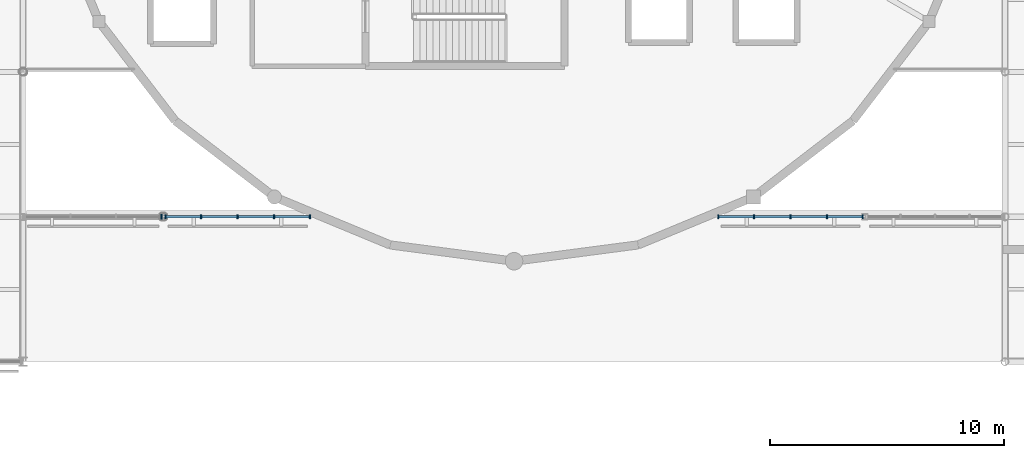
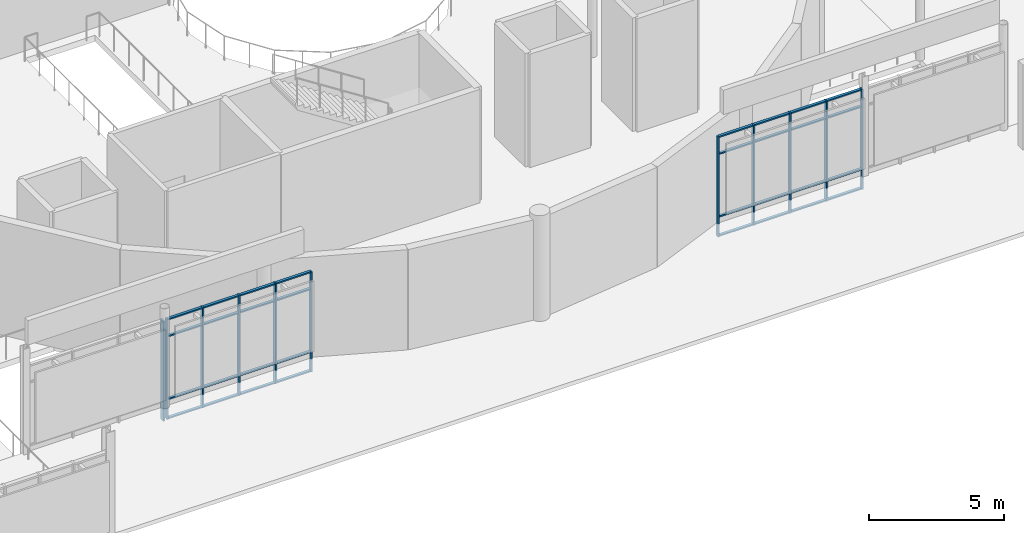
# One storey, part 29 of 105: 43 members, 3 elements without a shape of their own.
"""IFC4 building model written with IfcOpenShell, lengths in metres."""

from ifc_helpers import new_model, si_unit, direction, frame, origin, origin_2d, place, context, subcontext, project, spatial, rectangle, extrude, material, layer, layer_set, material_profile, profile_set, type_object, element, aggregate, save


model = new_model("IFC4")

# Units and contexts
model_context = context("Model", 3, precision=1e-05, world=origin(), true_north=direction((0.0, 1.0)))
body_context = subcontext(model_context, "Body", "Model", "MODEL_VIEW")
ifc_project = project(units=[si_unit("LENGTHUNIT", "METRE"), si_unit("AREAUNIT", "SQUARE_METRE"), si_unit("VOLUMEUNIT", "CUBIC_METRE"), si_unit("PLANEANGLEUNIT", "RADIAN"), si_unit("MASSUNIT", "GRAM", prefix="KILO")], contexts=[model_context])

# Site, building, storey
site_placement = place(None, origin())
site = spatial("IfcSite", under=ifc_project, at=site_placement, CompositionType="ELEMENT")
building_placement = place(site_placement, origin())
building = spatial("IfcBuilding", under=site, at=building_placement, Name="Mirzam Square Science Centre", CompositionType="ELEMENT")
storey_placement = place(building_placement, frame((0.0, 0.0, 5.39990234375)))
storey = spatial("IfcBuildingStorey", under=building, at=storey_placement, Name="L01", CompositionType="ELEMENT", Elevation=5.39990234375)

# Curtain wall, members
ifc_material_1 = material(Name="Anodised Aluminium and Low-E Solar Glass", Category="aluminium")
ifc_layer_1 = layer(ifc_material_1, 0.179931640625)
ifc_layer_set_1 = layer_set([ifc_layer_1], Name="CW-LINK-A")
curtain_wall_type_1 = type_object("IfcCurtainWallType", Name="CW-LINK-A", PredefinedType="USERDEFINED", material=ifc_layer_set_1)
curtain_wall_1_placement = place(storey_placement, origin())
curtain_wall_1 = element("IfcCurtainWall", 1, at=curtain_wall_1_placement, inside=storey, type_object=curtain_wall_type_1, Name="L01 unitised curtain wall 53", ObjectType="UNITISED CURTAIN WALL", PredefinedType="USERDEFINED")
ifc_material_2 = material(Name="Anodised Architectural Aluminium 6063-T6", Category="aluminium")
ifc_material_profile_1 = material_profile(ifc_material_2, rectangle(XDim=0.06005859375, YDim=0.159912109375, at=origin_2d()), Name="ALU-MULL-160x60x4")
ifc_profile_set_1 = profile_set([ifc_material_profile_1], Name="Anodised Architectural Aluminium 6063-T6")
member_type_1 = type_object("IfcMemberType", Name="CWM-160", PredefinedType="MULLION", material=ifc_profile_set_1)
member_1_placement = place(storey_placement, frame((66.0849609375, 43.39990234375, 0.0), z_axis=(0.0, 0.0, 1.0), x_axis=(1.0, 0.0, 0.0)))
member_1 = element("IfcMember", 2, at=member_1_placement, type_object=member_type_1, Name="CW-08 mullion 1", PredefinedType="MULLION", context=body_context, shape_type="SweptSolid", body=[
    extrude(rectangle(XDim=0.06005859375, YDim=0.159912109375, at=origin_2d()), origin(), (0.0, 0.0, 1.0), 4.550048828125),
])
member_2_placement = place(storey_placement, frame((67.614990234375, 43.39990234375, 0.0), z_axis=(0.0, 0.0, 1.0), x_axis=(1.0, 0.0, 0.0)))
member_2 = element("IfcMember", 3, at=member_2_placement, type_object=member_type_1, Name="CW-08 mullion 2", PredefinedType="MULLION", context=body_context, shape_type="SweptSolid", body=[
    extrude(rectangle(XDim=0.06005859375, YDim=0.159912109375, at=origin_2d()), origin(), (0.0, 0.0, 1.0), 4.550048828125),
])
member_3_placement = place(storey_placement, frame((69.175048828125, 43.39990234375, 0.0), z_axis=(0.0, 0.0, 1.0), x_axis=(1.0, 0.0, 0.0)))
member_3 = element("IfcMember", 4, at=member_3_placement, type_object=member_type_1, Name="CW-08 mullion 3", PredefinedType="MULLION", context=body_context, shape_type="SweptSolid", body=[
    extrude(rectangle(XDim=0.06005859375, YDim=0.159912109375, at=origin_2d()), origin(), (0.0, 0.0, 1.0), 4.550048828125),
])
member_4_placement = place(storey_placement, frame((70.735107421875, 43.39990234375, 0.0), z_axis=(0.0, 0.0, 1.0), x_axis=(1.0, 0.0, 0.0)))
member_4 = element("IfcMember", 5, at=member_4_placement, type_object=member_type_1, Name="CW-08 mullion 4", PredefinedType="MULLION", context=body_context, shape_type="SweptSolid", body=[
    extrude(rectangle(XDim=0.06005859375, YDim=0.159912109375, at=origin_2d()), origin(), (0.0, 0.0, 1.0), 4.550048828125),
])
member_5_placement = place(storey_placement, frame((72.264892578125, 43.39990234375, 0.0), z_axis=(0.0, 0.0, 1.0), x_axis=(1.0, 0.0, 0.0)))
member_5 = element("IfcMember", 6, at=member_5_placement, type_object=member_type_1, Name="CW-08 mullion 5", PredefinedType="MULLION", context=body_context, shape_type="SweptSolid", body=[
    extrude(rectangle(XDim=0.06005859375, YDim=0.159912109375, at=origin_2d()), origin(), (0.0, 0.0, 1.0), 4.550048828125),
])

curtain_wall_2_placement = place(storey_placement, origin())
curtain_wall_2 = element("IfcCurtainWall", 7, at=curtain_wall_2_placement, inside=storey, type_object=curtain_wall_type_1, Name="L01 unitised curtain wall 55", ObjectType="UNITISED CURTAIN WALL", PredefinedType="USERDEFINED")
member_6_placement = place(storey_placement, frame((89.735107421875, 43.39990234375, 0.0), z_axis=(0.0, 0.0, 1.0), x_axis=(1.0, 0.0, 0.0)))
member_6 = element("IfcMember", 8, at=member_6_placement, type_object=member_type_1, Name="CW-08 mullion 1", PredefinedType="MULLION", context=body_context, shape_type="SweptSolid", body=[
    extrude(rectangle(XDim=0.06005859375, YDim=0.159912109375, at=origin_2d()), origin(), (0.0, 0.0, 1.0), 4.550048828125),
])
member_7_placement = place(storey_placement, frame((91.264892578125, 43.39990234375, 0.0), z_axis=(0.0, 0.0, 1.0), x_axis=(1.0, 0.0, 0.0)))
member_7 = element("IfcMember", 9, at=member_7_placement, type_object=member_type_1, Name="CW-08 mullion 2", PredefinedType="MULLION", context=body_context, shape_type="SweptSolid", body=[
    extrude(rectangle(XDim=0.06005859375, YDim=0.159912109375, at=origin_2d()), origin(), (0.0, 0.0, 1.0), 4.550048828125),
])
member_8_placement = place(storey_placement, frame((92.824951171875, 43.39990234375, 0.0), z_axis=(0.0, 0.0, 1.0), x_axis=(1.0, 0.0, 0.0)))
member_8 = element("IfcMember", 10, at=member_8_placement, type_object=member_type_1, Name="CW-08 mullion 3", PredefinedType="MULLION", context=body_context, shape_type="SweptSolid", body=[
    extrude(rectangle(XDim=0.06005859375, YDim=0.159912109375, at=origin_2d()), origin(), (0.0, 0.0, 1.0), 4.550048828125),
])
member_9_placement = place(storey_placement, frame((94.385009765625, 43.39990234375, 0.0), z_axis=(0.0, 0.0, 1.0), x_axis=(1.0, 0.0, 0.0)))
member_9 = element("IfcMember", 11, at=member_9_placement, type_object=member_type_1, Name="CW-08 mullion 4", PredefinedType="MULLION", context=body_context, shape_type="SweptSolid", body=[
    extrude(rectangle(XDim=0.06005859375, YDim=0.159912109375, at=origin_2d()), origin(), (0.0, 0.0, 1.0), 4.550048828125),
])
member_10_placement = place(storey_placement, frame((95.9150390625, 43.39990234375, 0.0), z_axis=(0.0, 0.0, 1.0), x_axis=(1.0, 0.0, 0.0)))
member_10 = element("IfcMember", 12, at=member_10_placement, type_object=member_type_1, Name="CW-08 mullion 5", PredefinedType="MULLION", context=body_context, shape_type="SweptSolid", body=[
    extrude(rectangle(XDim=0.06005859375, YDim=0.159912109375, at=origin_2d()), origin(), (0.0, 0.0, 1.0), 4.550048828125),
])

# Curtain wall, member
ifc_layer_2 = layer(ifc_material_1, 0.239990234375)
ifc_layer_set_2 = layer_set([ifc_layer_2], Name="CW-EAST-B")
curtain_wall_type_2 = type_object("IfcCurtainWallType", Name="CW-EAST-B", PredefinedType="USERDEFINED", material=ifc_layer_set_2)
curtain_wall_3_placement = place(storey_placement, origin())
curtain_wall_3 = element("IfcCurtainWall", 13, at=curtain_wall_3_placement, inside=storey, type_object=curtain_wall_type_2, Name="L01 unitised curtain wall 51", ObjectType="UNITISED CURTAIN WALL", PredefinedType="USERDEFINED")
ifc_material_profile_2 = material_profile(ifc_material_2, rectangle(XDim=0.06494140625, YDim=0.199951171875, at=origin_2d()), Name="ALU-MULL-200x65x5")
ifc_profile_set_2 = profile_set([ifc_material_profile_2], Name="Anodised Architectural Aluminium 6063-T6")
member_type_2 = type_object("IfcMemberType", Name="CWM-200", PredefinedType="MULLION", material=ifc_profile_set_2)
member_11_placement = place(storey_placement, frame((65.91259765625, 43.39990234375, 0.0), z_axis=(0.0, 0.0, 1.0), x_axis=(1.0, 0.0, 0.0)))
member_11 = element("IfcMember", 14, at=member_11_placement, type_object=member_type_2, Name="CW-06 mullion 4", PredefinedType="MULLION", context=body_context, shape_type="SweptSolid", body=[
    extrude(rectangle(XDim=0.06494140625, YDim=0.199951171875, at=origin_2d()), origin(), (0.0, 0.0, 1.0), 4.550048828125),
])
aggregate(curtain_wall_3, [member_11])

# Member
ifc_material_profile_3 = material_profile(ifc_material_2, rectangle(XDim=0.1201171875, YDim=0.06005859375, at=origin_2d()), Name="ALU-TRAN-120x60x4")
ifc_profile_set_3 = profile_set([ifc_material_profile_3], Name="Anodised Architectural Aluminium 6063-T6")
member_type_3 = type_object("IfcMemberType", Name="CWT-120", PredefinedType="USERDEFINED", material=ifc_profile_set_3)
member_12_placement = place(storey_placement, frame((66.114990234375, 43.39990234375, 0.030029296875), z_axis=(1.0, 0.0, 0.0), x_axis=(0.0, 1.0, 0.0)))
member_12 = element("IfcMember", 15, at=member_12_placement, type_object=member_type_3, Name="CW-08 transom 1.1", ObjectType="TRANSOM", PredefinedType="USERDEFINED", context=body_context, shape_type="SweptSolid", body=[
    extrude(rectangle(XDim=0.1201171875, YDim=0.06005859375, at=origin_2d()), origin(), (0.0, 0.0, 1.0), 1.469970703125),
])

member_13_placement = place(storey_placement, frame((66.114990234375, 43.39990234375, 0.900146484375), z_axis=(1.0, 0.0, 0.0), x_axis=(0.0, 1.0, 0.0)))
member_13 = element("IfcMember", 16, at=member_13_placement, type_object=member_type_3, Name="CW-08 transom 1.2", ObjectType="TRANSOM", PredefinedType="USERDEFINED", context=body_context, shape_type="SweptSolid", body=[
    extrude(rectangle(XDim=0.1201171875, YDim=0.06005859375, at=origin_2d()), origin(), (0.0, 0.0, 1.0), 1.469970703125),
])

member_14_placement = place(storey_placement, frame((66.114990234375, 43.39990234375, 3.75), z_axis=(1.0, 0.0, 0.0), x_axis=(0.0, 1.0, 0.0)))
member_14 = element("IfcMember", 17, at=member_14_placement, type_object=member_type_3, Name="CW-08 transom 1.3", ObjectType="TRANSOM", PredefinedType="USERDEFINED", context=body_context, shape_type="SweptSolid", body=[
    extrude(rectangle(XDim=0.1201171875, YDim=0.06005859375, at=origin_2d()), origin(), (0.0, 0.0, 1.0), 1.469970703125),
])

member_15_placement = place(storey_placement, frame((66.114990234375, 43.39990234375, 4.52001953125), z_axis=(1.0, 0.0, 0.0), x_axis=(0.0, 1.0, 0.0)))
member_15 = element("IfcMember", 18, at=member_15_placement, type_object=member_type_3, Name="CW-08 transom 1.4", ObjectType="TRANSOM", PredefinedType="USERDEFINED", context=body_context, shape_type="SweptSolid", body=[
    extrude(rectangle(XDim=0.1201171875, YDim=0.06005859375, at=origin_2d()), origin(), (0.0, 0.0, 1.0), 1.469970703125),
])

member_16_placement = place(storey_placement, frame((67.64501953125, 43.39990234375, 0.030029296875), z_axis=(1.0, 0.0, 0.0), x_axis=(0.0, 1.0, 0.0)))
member_16 = element("IfcMember", 19, at=member_16_placement, type_object=member_type_3, Name="CW-08 transom 2.1", ObjectType="TRANSOM", PredefinedType="USERDEFINED", context=body_context, shape_type="SweptSolid", body=[
    extrude(rectangle(XDim=0.1201171875, YDim=0.06005859375, at=origin_2d()), origin(), (0.0, 0.0, 1.0), 1.5),
])

member_17_placement = place(storey_placement, frame((67.64501953125, 43.39990234375, 0.900146484375), z_axis=(1.0, 0.0, 0.0), x_axis=(0.0, 1.0, 0.0)))
member_17 = element("IfcMember", 20, at=member_17_placement, type_object=member_type_3, Name="CW-08 transom 2.2", ObjectType="TRANSOM", PredefinedType="USERDEFINED", context=body_context, shape_type="SweptSolid", body=[
    extrude(rectangle(XDim=0.1201171875, YDim=0.06005859375, at=origin_2d()), origin(), (0.0, 0.0, 1.0), 1.5),
])

member_18_placement = place(storey_placement, frame((67.64501953125, 43.39990234375, 3.75), z_axis=(1.0, 0.0, 0.0), x_axis=(0.0, 1.0, 0.0)))
member_18 = element("IfcMember", 21, at=member_18_placement, type_object=member_type_3, Name="CW-08 transom 2.3", ObjectType="TRANSOM", PredefinedType="USERDEFINED", context=body_context, shape_type="SweptSolid", body=[
    extrude(rectangle(XDim=0.1201171875, YDim=0.06005859375, at=origin_2d()), origin(), (0.0, 0.0, 1.0), 1.5),
])

member_19_placement = place(storey_placement, frame((67.64501953125, 43.39990234375, 4.52001953125), z_axis=(1.0, 0.0, 0.0), x_axis=(0.0, 1.0, 0.0)))
member_19 = element("IfcMember", 22, at=member_19_placement, type_object=member_type_3, Name="CW-08 transom 2.4", ObjectType="TRANSOM", PredefinedType="USERDEFINED", context=body_context, shape_type="SweptSolid", body=[
    extrude(rectangle(XDim=0.1201171875, YDim=0.06005859375, at=origin_2d()), origin(), (0.0, 0.0, 1.0), 1.5),
])

member_20_placement = place(storey_placement, frame((69.205078125, 43.39990234375, 0.030029296875), z_axis=(1.0, 0.0, 0.0), x_axis=(0.0, 1.0, 0.0)))
member_20 = element("IfcMember", 23, at=member_20_placement, type_object=member_type_3, Name="CW-08 transom 3.1", ObjectType="TRANSOM", PredefinedType="USERDEFINED", context=body_context, shape_type="SweptSolid", body=[
    extrude(rectangle(XDim=0.1201171875, YDim=0.06005859375, at=origin_2d()), origin(), (0.0, 0.0, 1.0), 1.5),
])

member_21_placement = place(storey_placement, frame((69.205078125, 43.39990234375, 0.900146484375), z_axis=(1.0, 0.0, 0.0), x_axis=(0.0, 1.0, 0.0)))
member_21 = element("IfcMember", 24, at=member_21_placement, type_object=member_type_3, Name="CW-08 transom 3.2", ObjectType="TRANSOM", PredefinedType="USERDEFINED", context=body_context, shape_type="SweptSolid", body=[
    extrude(rectangle(XDim=0.1201171875, YDim=0.06005859375, at=origin_2d()), origin(), (0.0, 0.0, 1.0), 1.5),
])

member_22_placement = place(storey_placement, frame((69.205078125, 43.39990234375, 3.75), z_axis=(1.0, 0.0, 0.0), x_axis=(0.0, 1.0, 0.0)))
member_22 = element("IfcMember", 25, at=member_22_placement, type_object=member_type_3, Name="CW-08 transom 3.3", ObjectType="TRANSOM", PredefinedType="USERDEFINED", context=body_context, shape_type="SweptSolid", body=[
    extrude(rectangle(XDim=0.1201171875, YDim=0.06005859375, at=origin_2d()), origin(), (0.0, 0.0, 1.0), 1.5),
])

member_23_placement = place(storey_placement, frame((69.205078125, 43.39990234375, 4.52001953125), z_axis=(1.0, 0.0, 0.0), x_axis=(0.0, 1.0, 0.0)))
member_23 = element("IfcMember", 26, at=member_23_placement, type_object=member_type_3, Name="CW-08 transom 3.4", ObjectType="TRANSOM", PredefinedType="USERDEFINED", context=body_context, shape_type="SweptSolid", body=[
    extrude(rectangle(XDim=0.1201171875, YDim=0.06005859375, at=origin_2d()), origin(), (0.0, 0.0, 1.0), 1.5),
])

member_24_placement = place(storey_placement, frame((70.764892578125, 43.39990234375, 0.030029296875), z_axis=(1.0, 0.0, 0.0), x_axis=(0.0, 1.0, 0.0)))
member_24 = element("IfcMember", 27, at=member_24_placement, type_object=member_type_3, Name="CW-08 transom 4.1", ObjectType="TRANSOM", PredefinedType="USERDEFINED", context=body_context, shape_type="SweptSolid", body=[
    extrude(rectangle(XDim=0.1201171875, YDim=0.06005859375, at=origin_2d()), origin(), (0.0, 0.0, 1.0), 1.47021484375),
])

member_25_placement = place(storey_placement, frame((70.764892578125, 43.39990234375, 0.900146484375), z_axis=(1.0, 0.0, 0.0), x_axis=(0.0, 1.0, 0.0)))
member_25 = element("IfcMember", 28, at=member_25_placement, type_object=member_type_3, Name="CW-08 transom 4.2", ObjectType="TRANSOM", PredefinedType="USERDEFINED", context=body_context, shape_type="SweptSolid", body=[
    extrude(rectangle(XDim=0.1201171875, YDim=0.06005859375, at=origin_2d()), origin(), (0.0, 0.0, 1.0), 1.47021484375),
])

member_26_placement = place(storey_placement, frame((70.764892578125, 43.39990234375, 3.75), z_axis=(1.0, 0.0, 0.0), x_axis=(0.0, 1.0, 0.0)))
member_26 = element("IfcMember", 29, at=member_26_placement, type_object=member_type_3, Name="CW-08 transom 4.3", ObjectType="TRANSOM", PredefinedType="USERDEFINED", context=body_context, shape_type="SweptSolid", body=[
    extrude(rectangle(XDim=0.1201171875, YDim=0.06005859375, at=origin_2d()), origin(), (0.0, 0.0, 1.0), 1.47021484375),
])

member_27_placement = place(storey_placement, frame((70.764892578125, 43.39990234375, 4.52001953125), z_axis=(1.0, 0.0, 0.0), x_axis=(0.0, 1.0, 0.0)))
member_27 = element("IfcMember", 30, at=member_27_placement, type_object=member_type_3, Name="CW-08 transom 4.4", ObjectType="TRANSOM", PredefinedType="USERDEFINED", context=body_context, shape_type="SweptSolid", body=[
    extrude(rectangle(XDim=0.1201171875, YDim=0.06005859375, at=origin_2d()), origin(), (0.0, 0.0, 1.0), 1.47021484375),
])

aggregate(curtain_wall_1, [member_1, member_2, member_3, member_4, member_5, member_12, member_13, member_14, member_15, member_16, member_17, member_18, member_19, member_20, member_21, member_22, member_23, member_24, member_25, member_26, member_27])

member_28_placement = place(storey_placement, frame((89.764892578125, 43.39990234375, 0.030029296875), z_axis=(1.0, 0.0, 0.0), x_axis=(0.0, 1.0, 0.0)))
member_28 = element("IfcMember", 31, at=member_28_placement, type_object=member_type_3, Name="CW-08 transom 1.1", ObjectType="TRANSOM", PredefinedType="USERDEFINED", context=body_context, shape_type="SweptSolid", body=[
    extrude(rectangle(XDim=0.1201171875, YDim=0.06005859375, at=origin_2d()), origin(), (0.0, 0.0, 1.0), 1.47021484375),
])

member_29_placement = place(storey_placement, frame((89.764892578125, 43.39990234375, 0.900146484375), z_axis=(1.0, 0.0, 0.0), x_axis=(0.0, 1.0, 0.0)))
member_29 = element("IfcMember", 32, at=member_29_placement, type_object=member_type_3, Name="CW-08 transom 1.2", ObjectType="TRANSOM", PredefinedType="USERDEFINED", context=body_context, shape_type="SweptSolid", body=[
    extrude(rectangle(XDim=0.1201171875, YDim=0.06005859375, at=origin_2d()), origin(), (0.0, 0.0, 1.0), 1.47021484375),
])

member_30_placement = place(storey_placement, frame((89.764892578125, 43.39990234375, 3.75), z_axis=(1.0, 0.0, 0.0), x_axis=(0.0, 1.0, 0.0)))
member_30 = element("IfcMember", 33, at=member_30_placement, type_object=member_type_3, Name="CW-08 transom 1.3", ObjectType="TRANSOM", PredefinedType="USERDEFINED", context=body_context, shape_type="SweptSolid", body=[
    extrude(rectangle(XDim=0.1201171875, YDim=0.06005859375, at=origin_2d()), origin(), (0.0, 0.0, 1.0), 1.47021484375),
])

member_31_placement = place(storey_placement, frame((89.764892578125, 43.39990234375, 4.52001953125), z_axis=(1.0, 0.0, 0.0), x_axis=(0.0, 1.0, 0.0)))
member_31 = element("IfcMember", 34, at=member_31_placement, type_object=member_type_3, Name="CW-08 transom 1.4", ObjectType="TRANSOM", PredefinedType="USERDEFINED", context=body_context, shape_type="SweptSolid", body=[
    extrude(rectangle(XDim=0.1201171875, YDim=0.06005859375, at=origin_2d()), origin(), (0.0, 0.0, 1.0), 1.47021484375),
])

member_32_placement = place(storey_placement, frame((91.294921875, 43.39990234375, 0.030029296875), z_axis=(1.0, 0.0, 0.0), x_axis=(0.0, 1.0, 0.0)))
member_32 = element("IfcMember", 35, at=member_32_placement, type_object=member_type_3, Name="CW-08 transom 2.1", ObjectType="TRANSOM", PredefinedType="USERDEFINED", context=body_context, shape_type="SweptSolid", body=[
    extrude(rectangle(XDim=0.1201171875, YDim=0.06005859375, at=origin_2d()), origin(), (0.0, 0.0, 1.0), 1.5),
])

member_33_placement = place(storey_placement, frame((91.294921875, 43.39990234375, 0.900146484375), z_axis=(1.0, 0.0, 0.0), x_axis=(0.0, 1.0, 0.0)))
member_33 = element("IfcMember", 36, at=member_33_placement, type_object=member_type_3, Name="CW-08 transom 2.2", ObjectType="TRANSOM", PredefinedType="USERDEFINED", context=body_context, shape_type="SweptSolid", body=[
    extrude(rectangle(XDim=0.1201171875, YDim=0.06005859375, at=origin_2d()), origin(), (0.0, 0.0, 1.0), 1.5),
])

member_34_placement = place(storey_placement, frame((91.294921875, 43.39990234375, 3.75), z_axis=(1.0, 0.0, 0.0), x_axis=(0.0, 1.0, 0.0)))
member_34 = element("IfcMember", 37, at=member_34_placement, type_object=member_type_3, Name="CW-08 transom 2.3", ObjectType="TRANSOM", PredefinedType="USERDEFINED", context=body_context, shape_type="SweptSolid", body=[
    extrude(rectangle(XDim=0.1201171875, YDim=0.06005859375, at=origin_2d()), origin(), (0.0, 0.0, 1.0), 1.5),
])

member_35_placement = place(storey_placement, frame((91.294921875, 43.39990234375, 4.52001953125), z_axis=(1.0, 0.0, 0.0), x_axis=(0.0, 1.0, 0.0)))
member_35 = element("IfcMember", 38, at=member_35_placement, type_object=member_type_3, Name="CW-08 transom 2.4", ObjectType="TRANSOM", PredefinedType="USERDEFINED", context=body_context, shape_type="SweptSolid", body=[
    extrude(rectangle(XDim=0.1201171875, YDim=0.06005859375, at=origin_2d()), origin(), (0.0, 0.0, 1.0), 1.5),
])

member_36_placement = place(storey_placement, frame((92.85498046875, 43.39990234375, 0.030029296875), z_axis=(1.0, 0.0, 0.0), x_axis=(0.0, 1.0, 0.0)))
member_36 = element("IfcMember", 39, at=member_36_placement, type_object=member_type_3, Name="CW-08 transom 3.1", ObjectType="TRANSOM", PredefinedType="USERDEFINED", context=body_context, shape_type="SweptSolid", body=[
    extrude(rectangle(XDim=0.1201171875, YDim=0.06005859375, at=origin_2d()), origin(), (0.0, 0.0, 1.0), 1.5),
])

member_37_placement = place(storey_placement, frame((92.85498046875, 43.39990234375, 0.900146484375), z_axis=(1.0, 0.0, 0.0), x_axis=(0.0, 1.0, 0.0)))
member_37 = element("IfcMember", 40, at=member_37_placement, type_object=member_type_3, Name="CW-08 transom 3.2", ObjectType="TRANSOM", PredefinedType="USERDEFINED", context=body_context, shape_type="SweptSolid", body=[
    extrude(rectangle(XDim=0.1201171875, YDim=0.06005859375, at=origin_2d()), origin(), (0.0, 0.0, 1.0), 1.5),
])

member_38_placement = place(storey_placement, frame((92.85498046875, 43.39990234375, 3.75), z_axis=(1.0, 0.0, 0.0), x_axis=(0.0, 1.0, 0.0)))
member_38 = element("IfcMember", 41, at=member_38_placement, type_object=member_type_3, Name="CW-08 transom 3.3", ObjectType="TRANSOM", PredefinedType="USERDEFINED", context=body_context, shape_type="SweptSolid", body=[
    extrude(rectangle(XDim=0.1201171875, YDim=0.06005859375, at=origin_2d()), origin(), (0.0, 0.0, 1.0), 1.5),
])

member_39_placement = place(storey_placement, frame((92.85498046875, 43.39990234375, 4.52001953125), z_axis=(1.0, 0.0, 0.0), x_axis=(0.0, 1.0, 0.0)))
member_39 = element("IfcMember", 42, at=member_39_placement, type_object=member_type_3, Name="CW-08 transom 3.4", ObjectType="TRANSOM", PredefinedType="USERDEFINED", context=body_context, shape_type="SweptSolid", body=[
    extrude(rectangle(XDim=0.1201171875, YDim=0.06005859375, at=origin_2d()), origin(), (0.0, 0.0, 1.0), 1.5),
])

member_40_placement = place(storey_placement, frame((94.4150390625, 43.39990234375, 0.030029296875), z_axis=(1.0, 0.0, 0.0), x_axis=(0.0, 1.0, 0.0)))
member_40 = element("IfcMember", 43, at=member_40_placement, type_object=member_type_3, Name="CW-08 transom 4.1", ObjectType="TRANSOM", PredefinedType="USERDEFINED", context=body_context, shape_type="SweptSolid", body=[
    extrude(rectangle(XDim=0.1201171875, YDim=0.06005859375, at=origin_2d()), origin(), (0.0, 0.0, 1.0), 1.469970703125),
])

member_41_placement = place(storey_placement, frame((94.4150390625, 43.39990234375, 0.900146484375), z_axis=(1.0, 0.0, 0.0), x_axis=(0.0, 1.0, 0.0)))
member_41 = element("IfcMember", 44, at=member_41_placement, type_object=member_type_3, Name="CW-08 transom 4.2", ObjectType="TRANSOM", PredefinedType="USERDEFINED", context=body_context, shape_type="SweptSolid", body=[
    extrude(rectangle(XDim=0.1201171875, YDim=0.06005859375, at=origin_2d()), origin(), (0.0, 0.0, 1.0), 1.469970703125),
])

member_42_placement = place(storey_placement, frame((94.4150390625, 43.39990234375, 3.75), z_axis=(1.0, 0.0, 0.0), x_axis=(0.0, 1.0, 0.0)))
member_42 = element("IfcMember", 45, at=member_42_placement, type_object=member_type_3, Name="CW-08 transom 4.3", ObjectType="TRANSOM", PredefinedType="USERDEFINED", context=body_context, shape_type="SweptSolid", body=[
    extrude(rectangle(XDim=0.1201171875, YDim=0.06005859375, at=origin_2d()), origin(), (0.0, 0.0, 1.0), 1.469970703125),
])

member_43_placement = place(storey_placement, frame((94.4150390625, 43.39990234375, 4.52001953125), z_axis=(1.0, 0.0, 0.0), x_axis=(0.0, 1.0, 0.0)))
member_43 = element("IfcMember", 46, at=member_43_placement, type_object=member_type_3, Name="CW-08 transom 4.4", ObjectType="TRANSOM", PredefinedType="USERDEFINED", context=body_context, shape_type="SweptSolid", body=[
    extrude(rectangle(XDim=0.1201171875, YDim=0.06005859375, at=origin_2d()), origin(), (0.0, 0.0, 1.0), 1.469970703125),
])

aggregate(curtain_wall_2, [member_6, member_7, member_8, member_9, member_10, member_28, member_29, member_30, member_31, member_32, member_33, member_34, member_35, member_36, member_37, member_38, member_39, member_40, member_41, member_42, member_43])

save(model, "model.ifc")
